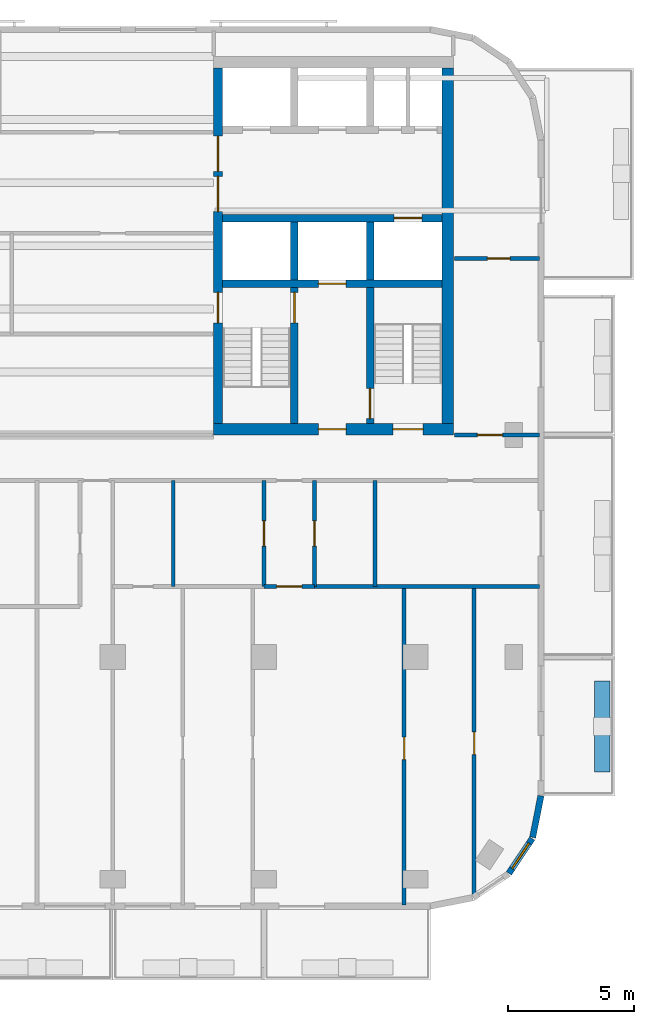
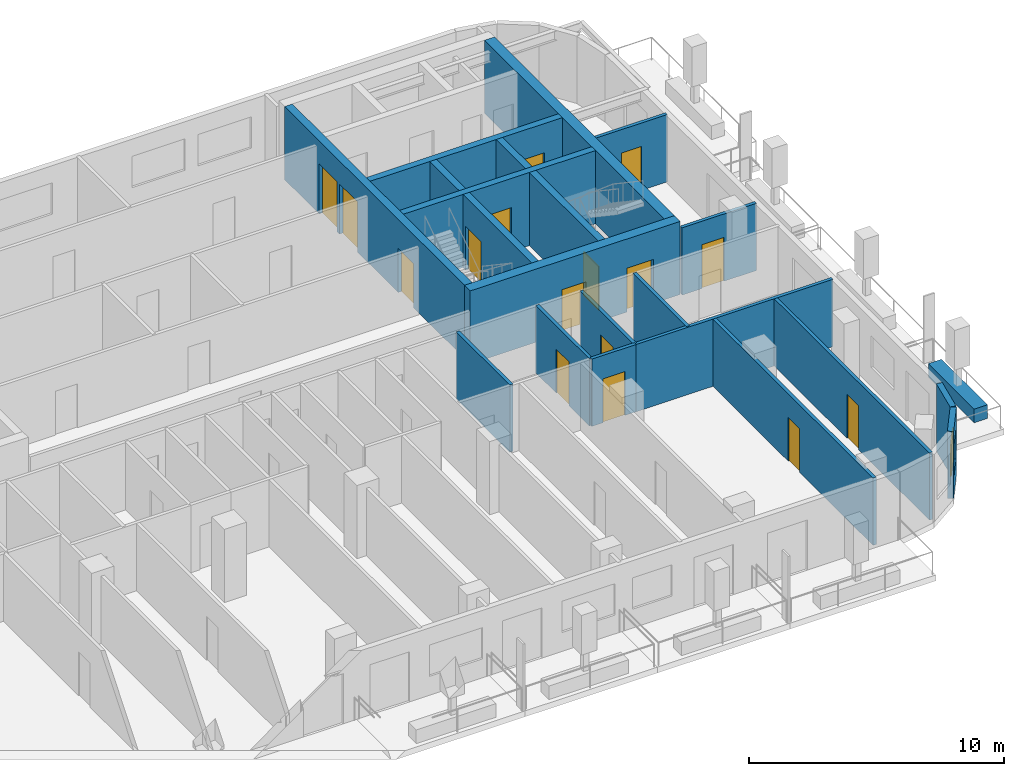
# One storey, part 5 of 11: 22 walls, 16 doors, 1 window, 17 openings.
"""IFC4 building model written with IfcOpenShell, lengths in metres."""

from ifc_helpers import new_model, si_unit, direction, frame, frame_2d, origin, place, context, subcontext, project, spatial, rectangle, extrude, material, layer, layer_set, type_object, element, fill, save


model = new_model("IFC4")

# Units and contexts
model_context = context("Model", 3, precision=1e-05, world=origin(), true_north=direction((0.0, 1.0)))
body_context = subcontext(model_context, "Body", "Model", "MODEL_VIEW")
ifc_project = project(units=[si_unit("LENGTHUNIT", "METRE"), si_unit("AREAUNIT", "SQUARE_METRE"), si_unit("VOLUMEUNIT", "CUBIC_METRE"), si_unit("PLANEANGLEUNIT", "RADIAN"), si_unit("MASSUNIT", "GRAM", prefix="KILO")], contexts=[model_context])

# Site, building, storey
site_placement = place(None, origin())
site = spatial("IfcSite", under=ifc_project, at=site_placement, CompositionType="ELEMENT")
building_placement = place(site_placement, origin())
building = spatial("IfcBuilding", under=site, at=building_placement, Name="Torana Hotel and Residences", CompositionType="ELEMENT")
storey_placement = place(building_placement, frame((0.0, 0.0, 284.10009765625)))
storey = spatial("IfcBuildingStorey", under=building, at=storey_placement, Name="L75", CompositionType="ELEMENT", Elevation=284.10009765625)

# Wall, opening, door
ifc_material_1 = material(Name="Concrete C60/75", Category="concrete")
ifc_layer_1 = layer(ifc_material_1, 0.300048828125)
ifc_layer_set_1 = layer_set([ifc_layer_1], Name="CORE WALL 300 C60/75")
wall_type_1 = type_object("IfcWallType", Name="CORE WALL 300 C60/75", PredefinedType="SHEAR", material=ifc_layer_set_1)
wall_1_placement = place(storey_placement, frame((10.35009765625, -6.39990234375, 0.0), z_axis=(0.0, 0.0, 1.0), x_axis=(1.0, 0.0, 0.0)))
wall_1 = element("IfcWall", 1, at=wall_1_placement, inside=storey, type_object=wall_type_1, Name="Core wall E row-S", PredefinedType="SHEAR", context=body_context, shape_type="SweptSolid", body=[
    extrude(rectangle(XDim=8.699951171875, YDim=0.300048828125, at=frame_2d((4.35009765625, 0.0))), origin(), (0.0, 0.0, 1.0), 3.5),
])
opening_1_placement = place(wall_1_placement, frame((6.800048828125, 0.0, 0.0)))
opening_1 = element("IfcOpeningElement", 2, at=opening_1_placement, cuts=wall_1, Name="Opening LD", PredefinedType="OPENING", context=body_context, shape_type="SweptSolid", body=[
    extrude(rectangle(XDim=1.10009765625, YDim=2.10009765625, at=frame_2d((0.550048828125, 1.050048828125))), frame((0.0, 0.159912109375, 0.0), z_axis=(0.0, -1.0, 0.0), x_axis=(1.0, 0.0, 0.0)), (0.0, 0.0, 1.0), 0.320068359375),
])
ifc_material_2 = material(Name="Stainless steel 316", Category="steel")
door_type_1 = type_object("IfcDoorType", Name="LIFT LANDING DOOR LD 1100x2100", OperationType="DOUBLE_DOOR_SLIDING", PredefinedType="USERDEFINED", material=ifc_material_2)
door_1_placement = place(opening_1_placement, origin())
door_1 = element("IfcDoor", 3, at=door_1_placement, inside=storey, type_object=door_type_1, Name="Lift landing door SV2 L75", ObjectType="LIFT LANDING DOOR", OperationType="DOUBLE_DOOR_SLIDING", OverallHeight=2.10009765625, OverallWidth=1.10009765625, PredefinedType="USERDEFINED", context=body_context, shape_type="SweptSolid", body=[
    extrude(rectangle(XDim=1.10009765625, YDim=2.10009765625, at=frame_2d((0.550048828125, 1.050048828125))), frame((0.0, 0.02490234375, 0.0), z_axis=(0.0, -1.0, 0.0), x_axis=(1.0, 0.0, 0.0)), (0.0, 0.0, 1.0), 0.050048828125),
])
fill(opening_1, door_1)

wall_2_placement = place(storey_placement, frame((10.35009765625, -9.0, 0.0), z_axis=(0.0, 0.0, 1.0), x_axis=(1.0, 0.0, 0.0)))
wall_2 = element("IfcWall", 4, at=wall_2_placement, inside=storey, type_object=wall_type_1, Name="Core wall E band", PredefinedType="SHEAR", context=body_context, shape_type="SweptSolid", body=[
    extrude(rectangle(XDim=8.699951171875, YDim=0.300048828125, at=frame_2d((4.35009765625, 0.0))), origin(), (0.0, 0.0, 1.0), 3.5),
])
opening_2_placement = place(wall_2_placement, frame((3.800048828125, 0.0, 0.0)))
opening_2 = element("IfcOpeningElement", 5, at=opening_2_placement, cuts=wall_2, Name="Opening LD", PredefinedType="OPENING", context=body_context, shape_type="SweptSolid", body=[
    extrude(rectangle(XDim=1.10009765625, YDim=2.10009765625, at=frame_2d((0.550048828125, 1.050048828125))), frame((0.0, 0.159912109375, 0.0), z_axis=(0.0, -1.0, 0.0), x_axis=(1.0, 0.0, 0.0)), (0.0, 0.0, 1.0), 0.320068359375),
])
door_2_placement = place(opening_2_placement, origin())
door_2 = element("IfcDoor", 6, at=door_2_placement, inside=storey, type_object=door_type_1, Name="Lift landing door FF2 L75", ObjectType="LIFT LANDING DOOR", OperationType="DOUBLE_DOOR_SLIDING", OverallHeight=2.10009765625, OverallWidth=1.10009765625, PredefinedType="USERDEFINED", context=body_context, shape_type="SweptSolid", body=[
    extrude(rectangle(XDim=1.10009765625, YDim=2.10009765625, at=frame_2d((0.550048828125, 1.050048828125))), frame((0.0, 0.02490234375, 0.0), z_axis=(0.0, -1.0, 0.0), x_axis=(1.0, 0.0, 0.0)), (0.0, 0.0, 1.0), 0.050048828125),
])
fill(opening_2, door_2)

# Wall
wall_3_placement = place(storey_placement, frame((13.199951171875, -8.85009765625, 0.0), z_axis=(0.0, 0.0, 1.0), x_axis=(0.0, 1.0, 0.0)))
element("IfcWall", 7, at=wall_3_placement, inside=storey, type_object=wall_type_1, Name="Core wall E x3.05-S", PredefinedType="SHEAR", context=body_context, shape_type="SweptSolid", body=[
    extrude(rectangle(XDim=2.300048828125, YDim=0.300048828125, at=frame_2d((1.14990234375, 0.0))), origin(), (0.0, 0.0, 1.0), 3.5),
])

# Wall, opening, door
wall_4_placement = place(storey_placement, frame((13.199951171875, -14.550048828125, 0.0), z_axis=(0.0, 0.0, 1.0), x_axis=(0.0, 1.0, 0.0)))
wall_4 = element("IfcWall", 8, at=wall_4_placement, inside=storey, type_object=wall_type_1, Name="Core wall E x3.05-band", PredefinedType="SHEAR", context=body_context, shape_type="SweptSolid", body=[
    extrude(rectangle(XDim=5.400146484375, YDim=0.300048828125, at=frame_2d((2.7001953125, 0.0))), origin(), (0.0, 0.0, 1.0), 3.5),
])
opening_3_placement = place(wall_4_placement, frame((4.0, 0.0, 0.0)))
opening_3 = element("IfcOpeningElement", 9, at=opening_3_placement, cuts=wall_4, Name="Opening L75-17", PredefinedType="OPENING", context=body_context, shape_type="SweptSolid", body=[
    extrude(rectangle(XDim=1.199951171875, YDim=2.10009765625, at=frame_2d((0.60009765625, 1.050048828125))), frame((0.0, 0.159912109375, 0.0), z_axis=(0.0, -1.0, 0.0), x_axis=(1.0, 0.0, 0.0)), (0.0, 0.0, 1.0), 0.320068359375),
])
ifc_material_3 = material(Name="Steel S235", Category="steel")
door_type_2 = type_object("IfcDoorType", Name="STAIR FIRE DOOR D3 1200x2100", OperationType="SINGLE_SWING_LEFT", PredefinedType="DOOR", material=ifc_material_3)
door_3_placement = place(opening_3_placement, origin())
door_3 = element("IfcDoor", 10, at=door_3_placement, inside=storey, type_object=door_type_2, Name="Stair-A-lobby door L75", OperationType="SINGLE_SWING_LEFT", OverallHeight=2.10009765625, OverallWidth=1.199951171875, PredefinedType="DOOR", context=body_context, shape_type="SweptSolid", body=[
    extrude(rectangle(XDim=1.199951171875, YDim=2.10009765625, at=frame_2d((0.60009765625, 1.050048828125))), frame((0.0, 0.02490234375, 0.0), z_axis=(0.0, -1.0, 0.0), x_axis=(1.0, 0.0, 0.0)), (0.0, 0.0, 1.0), 0.050048828125),
])
fill(opening_3, door_3)

# Wall
wall_5_placement = place(storey_placement, frame((16.199951171875, -8.85009765625, 0.0), z_axis=(0.0, 0.0, 1.0), x_axis=(0.0, 1.0, 0.0)))
element("IfcWall", 11, at=wall_5_placement, inside=storey, type_object=wall_type_1, Name="Core wall E x6.05-S", PredefinedType="SHEAR", context=body_context, shape_type="SweptSolid", body=[
    extrude(rectangle(XDim=2.300048828125, YDim=0.300048828125, at=frame_2d((1.14990234375, 0.0))), origin(), (0.0, 0.0, 1.0), 3.5),
])

# Wall, opening, door
wall_6_placement = place(storey_placement, frame((16.199951171875, -14.550048828125, 0.0), z_axis=(0.0, 0.0, 1.0), x_axis=(0.0, 1.0, 0.0)))
wall_6 = element("IfcWall", 12, at=wall_6_placement, inside=storey, type_object=wall_type_1, Name="Core wall E x6.05-band", PredefinedType="SHEAR", context=body_context, shape_type="SweptSolid", body=[
    extrude(rectangle(XDim=5.400146484375, YDim=0.300048828125, at=frame_2d((2.7001953125, 0.0))), origin(), (0.0, 0.0, 1.0), 3.5),
])
opening_4_placement = place(wall_6_placement, frame((0.199951171875, 0.0, 0.0)))
opening_4 = element("IfcOpeningElement", 13, at=opening_4_placement, cuts=wall_6, Name="Opening L75-18", PredefinedType="OPENING", context=body_context, shape_type="SweptSolid", body=[
    extrude(rectangle(XDim=1.199951171875, YDim=2.10009765625, at=frame_2d((0.60009765625, 1.050048828125))), frame((0.0, 0.159912109375, 0.0), z_axis=(0.0, -1.0, 0.0), x_axis=(1.0, 0.0, 0.0)), (0.0, 0.0, 1.0), 0.320068359375),
])
door_4_placement = place(opening_4_placement, frame((0.60009765625, 0.0, 0.0), z_axis=(0.0, 0.0, 1.0), x_axis=(-1.0, 0.0, 0.0)))
door_4 = element("IfcDoor", 14, at=door_4_placement, inside=storey, type_object=door_type_2, Name="Stair-B-lobby door L75", OperationType="SINGLE_SWING_LEFT", OverallHeight=2.10009765625, OverallWidth=1.199951171875, PredefinedType="DOOR", context=body_context, shape_type="SweptSolid", body=[
    extrude(rectangle(XDim=1.199951171875, YDim=2.10009765625, at=frame_2d((0.0, 1.050048828125))), frame((0.0, -0.02490234375, 0.0), z_axis=(0.0, 1.0, 0.0), x_axis=(-1.0, 0.0, 0.0)), (0.0, 0.0, 1.0), 0.050048828125),
])
fill(opening_4, door_4)

# Wall, openings, doors
ifc_material_4 = material(Name="Concrete C60/75", Category="concrete")
ifc_layer_2 = layer(ifc_material_4, 0.35009765625)
ifc_layer_set_2 = layer_set([ifc_layer_2], Name="CORE WALL 350 C60/75")
wall_type_2 = type_object("IfcWallType", Name="CORE WALL 350 C60/75", PredefinedType="SHEAR", material=ifc_layer_set_2)
wall_7_placement = place(storey_placement, frame((10.175048828125, -14.550048828125, 0.0), z_axis=(0.0, 0.0, 1.0), x_axis=(0.0, 1.0, 0.0)))
wall_7 = element("IfcWall", 15, at=wall_7_placement, inside=storey, type_object=wall_type_2, Name="Core wall E arch", PredefinedType="SHEAR", context=body_context, shape_type="SweptSolid", body=[
    extrude(rectangle(XDim=14.10009765625, YDim=0.35009765625, at=frame_2d((7.050048828125, 0.0))), origin(), (0.0, 0.0, 1.0), 3.5),
])
opening_5_placement = place(wall_7_placement, frame((8.39990234375, 0.0, 0.0)))
opening_5 = element("IfcOpeningElement", 16, at=opening_5_placement, cuts=wall_7, Name="Opening L75-10", PredefinedType="OPENING", context=body_context, shape_type="SweptSolid", body=[
    extrude(rectangle(XDim=1.39990234375, YDim=2.39990234375, at=frame_2d((0.699951171875, 1.199951171875))), frame((0.0, 0.18505859375, 0.0), z_axis=(0.0, -1.0, 0.0), x_axis=(1.0, 0.0, 0.0)), (0.0, 0.0, 1.0), 0.3701171875),
])
opening_6_placement = place(wall_7_placement, frame((10.0, 0.0, 0.0)))
opening_6 = element("IfcOpeningElement", 17, at=opening_6_placement, cuts=wall_7, Name="Opening L75-11", PredefinedType="OPENING", context=body_context, shape_type="SweptSolid", body=[
    extrude(rectangle(XDim=1.39990234375, YDim=2.39990234375, at=frame_2d((0.699951171875, 1.199951171875))), frame((0.0, 0.18505859375, 0.0), z_axis=(0.0, -1.0, 0.0), x_axis=(1.0, 0.0, 0.0)), (0.0, 0.0, 1.0), 0.3701171875),
])
opening_7_placement = place(wall_7_placement, frame((4.0, 0.0, 0.0)))
opening_7 = element("IfcOpeningElement", 18, at=opening_7_placement, cuts=wall_7, Name="Opening L75-12", PredefinedType="OPENING", context=body_context, shape_type="SweptSolid", body=[
    extrude(rectangle(XDim=1.199951171875, YDim=2.10009765625, at=frame_2d((0.60009765625, 1.050048828125))), frame((0.0, 0.18505859375, 0.0), z_axis=(0.0, -1.0, 0.0), x_axis=(1.0, 0.0, 0.0)), (0.0, 0.0, 1.0), 0.3701171875),
])
ifc_material_5 = material(Name="Steel S235", Category="steel")
door_type_3 = type_object("IfcDoorType", Name="LOBBY FIRE DOOR D4 1400x2400", OperationType="DOUBLE_DOOR_SINGLE_SWING", PredefinedType="DOOR", material=ifc_material_5)
door_5_placement = place(opening_5_placement, origin())
door_5 = element("IfcDoor", 19, at=door_5_placement, inside=storey, type_object=door_type_3, Name="Lobby-1 door L75", OperationType="DOUBLE_DOOR_SINGLE_SWING", OverallHeight=2.39990234375, OverallWidth=1.39990234375, PredefinedType="DOOR", context=body_context, shape_type="SweptSolid", body=[
    extrude(rectangle(XDim=1.39990234375, YDim=2.39990234375, at=frame_2d((0.699951171875, 1.199951171875))), frame((0.0, 0.02490234375, 0.0), z_axis=(0.0, -1.0, 0.0), x_axis=(1.0, 0.0, 0.0)), (0.0, 0.0, 1.0), 0.050048828125),
])
fill(opening_5, door_5)
door_6_placement = place(opening_6_placement, origin())
door_6 = element("IfcDoor", 20, at=door_6_placement, inside=storey, type_object=door_type_3, Name="Lobby-2 door L75", OperationType="DOUBLE_DOOR_SINGLE_SWING", OverallHeight=2.39990234375, OverallWidth=1.39990234375, PredefinedType="DOOR", context=body_context, shape_type="SweptSolid", body=[
    extrude(rectangle(XDim=1.39990234375, YDim=2.39990234375, at=frame_2d((0.699951171875, 1.199951171875))), frame((0.0, 0.02490234375, 0.0), z_axis=(0.0, -1.0, 0.0), x_axis=(1.0, 0.0, 0.0)), (0.0, 0.0, 1.0), 0.050048828125),
])
fill(opening_6, door_6)
door_7_placement = place(opening_7_placement, frame((0.60009765625, 0.0, 0.0), z_axis=(0.0, 0.0, 1.0), x_axis=(-1.0, 0.0, 0.0)))
door_7 = element("IfcDoor", 21, at=door_7_placement, inside=storey, type_object=door_type_2, Name="Stair-A door L75", OperationType="SINGLE_SWING_RIGHT", OverallHeight=2.10009765625, OverallWidth=1.199951171875, PredefinedType="DOOR", context=body_context, shape_type="SweptSolid", body=[
    extrude(rectangle(XDim=1.199951171875, YDim=2.10009765625, at=frame_2d((0.0, 1.050048828125))), frame((0.0, -0.02490234375, 0.0), z_axis=(0.0, 1.0, 0.0), x_axis=(-1.0, 0.0, 0.0)), (0.0, 0.0, 1.0), 0.050048828125),
])
fill(opening_7, door_7)

ifc_material_6 = material(Name="Concrete C60/75", Category="concrete")
ifc_layer_3 = layer(ifc_material_6, 0.449951171875)
ifc_layer_set_3 = layer_set([ifc_layer_3], Name="CORE WALL 450 C60/75")
wall_type_3 = type_object("IfcWallType", Name="CORE WALL 450 C60/75", PredefinedType="SHEAR", material=ifc_layer_set_3)
wall_8_placement = place(storey_placement, frame((10.0, -14.77490234375, 0.0), z_axis=(0.0, 0.0, 1.0), x_axis=(1.0, 0.0, 0.0)))
wall_8 = element("IfcWall", 22, at=wall_8_placement, inside=storey, type_object=wall_type_3, Name="Core wall E front", PredefinedType="SHEAR", context=body_context, shape_type="SweptSolid", body=[
    extrude(rectangle(XDim=9.5, YDim=0.449951171875, at=frame_2d((4.75, 0.0))), origin(), (0.0, 0.0, 1.0), 3.5),
])
opening_8_placement = place(wall_8_placement, frame((7.10009765625, 0.0, 0.0)))
opening_8 = element("IfcOpeningElement", 23, at=opening_8_placement, cuts=wall_8, Name="Opening L75-13", PredefinedType="OPENING", context=body_context, shape_type="SweptSolid", body=[
    extrude(rectangle(XDim=1.199951171875, YDim=2.10009765625, at=frame_2d((0.60009765625, 1.050048828125))), frame((0.0, 0.23486328125, 0.0), z_axis=(0.0, -1.0, 0.0), x_axis=(1.0, 0.0, 0.0)), (0.0, 0.0, 1.0), 0.469970703125),
])
opening_9_placement = place(wall_8_placement, frame((4.14990234375, 0.0, 0.0)))
opening_9 = element("IfcOpeningElement", 24, at=opening_9_placement, cuts=wall_8, Name="Opening L75-14", PredefinedType="OPENING", context=body_context, shape_type="SweptSolid", body=[
    extrude(rectangle(XDim=1.10009765625, YDim=2.10009765625, at=frame_2d((0.550048828125, 1.050048828125))), frame((0.0, 0.23486328125, 0.0), z_axis=(0.0, -1.0, 0.0), x_axis=(1.0, 0.0, 0.0)), (0.0, 0.0, 1.0), 0.469970703125),
])
ifc_material_7 = material(Name="Steel S235", Category="steel")
door_type_4 = type_object("IfcDoorType", Name="FIRE-FIGHTING LOBBY DOOR D8 1100x2100", OperationType="SINGLE_SWING_LEFT", PredefinedType="DOOR", material=ifc_material_7)
door_8_placement = place(opening_9_placement, origin())
door_8 = element("IfcDoor", 25, at=door_8_placement, inside=storey, type_object=door_type_4, Name="FF-lobby door L75", OperationType="SINGLE_SWING_RIGHT", OverallHeight=2.10009765625, OverallWidth=1.10009765625, PredefinedType="DOOR", context=body_context, shape_type="SweptSolid", body=[
    extrude(rectangle(XDim=1.10009765625, YDim=2.10009765625, at=frame_2d((0.550048828125, 1.050048828125))), frame((0.0, 0.02490234375, 0.0), z_axis=(0.0, -1.0, 0.0), x_axis=(1.0, 0.0, 0.0)), (0.0, 0.0, 1.0), 0.050048828125),
])
fill(opening_9, door_8)
door_9_placement = place(opening_8_placement, origin())
door_9 = element("IfcDoor", 26, at=door_9_placement, inside=storey, type_object=door_type_2, Name="Stair-B door L75", OperationType="SINGLE_SWING_RIGHT", OverallHeight=2.10009765625, OverallWidth=1.199951171875, PredefinedType="DOOR", context=body_context, shape_type="SweptSolid", body=[
    extrude(rectangle(XDim=1.199951171875, YDim=2.10009765625, at=frame_2d((0.60009765625, 1.050048828125))), frame((0.0, 0.02490234375, 0.0), z_axis=(0.0, -1.0, 0.0), x_axis=(1.0, 0.0, 0.0)), (0.0, 0.0, 1.0), 0.050048828125),
])
fill(opening_8, door_9)

# Wall
wall_9_placement = place(storey_placement, frame((19.27490234375, -14.550048828125, 0.0), z_axis=(0.0, 0.0, 1.0), x_axis=(0.0, 1.0, 0.0)))
element("IfcWall", 27, at=wall_9_placement, inside=storey, type_object=wall_type_3, Name="Core wall E outer", PredefinedType="SHEAR", context=body_context, shape_type="SweptSolid", body=[
    extrude(rectangle(XDim=14.10009765625, YDim=0.449951171875, at=frame_2d((7.050048828125, 0.0))), origin(), (0.0, 0.0, 1.0), 3.5),
])

# Wall, opening, window
ifc_material_8 = material(Name="Black aluminium composite panel", Category="aluminium")
ifc_layer_4 = layer(ifc_material_8, 0.00390625, Name="Cladding", Category="cladding")
ifc_material_9 = material(Name="Ventilated air cavity")
ifc_layer_5 = layer(ifc_material_9, 0.0400390625, Name="Ventilated cavity", Category="cavity")
ifc_material_10 = material(Name="Mineral wool insulation")
ifc_layer_6 = layer(ifc_material_10, 0.090087890625, Name="Insulation", Category="insulation")
ifc_material_11 = material(Name="Steel S280GD", Category="steel")
ifc_layer_7 = layer(ifc_material_11, 0.092041015625, Name="Steel stud frame", Category="structure")
ifc_material_12 = material(Name="Fire rated plasterboard")
ifc_layer_8 = layer(ifc_material_12, 0.011962890625, Name="Inner board", Category="finish")
ifc_layer_9 = layer(ifc_material_12, 0.011962890625, Name="Second board", Category="finish")
ifc_layer_set_4 = layer_set([ifc_layer_4, ifc_layer_5, ifc_layer_6, ifc_layer_7, ifc_layer_8, ifc_layer_9], Name="EW1 EXTERNAL WALL BLACK METAL CLAD 250")
wall_type_4 = type_object("IfcWallType", Name="EW1 EXTERNAL WALL BLACK METAL CLAD 250", PredefinedType="SOLIDWALL", material=ifc_layer_set_4)
wall_10_placement = place(storey_placement, frame((21.705810546875, -32.37109375, 0.0), z_axis=(0.0, 0.0, 1.0), x_axis=(0.55555029066, 0.831482937015, 0.0)))
wall_10 = element("IfcWall", 28, at=wall_10_placement, inside=storey, type_object=wall_type_4, Name="External wall L75 e0.17", PredefinedType="SOLIDWALL", context=body_context, shape_type="SweptSolid", body=[
    extrude(rectangle(XDim=1.65625, YDim=0.25, at=frame_2d((0.828125, 0.0))), origin(), (0.0, 0.0, 1.0), 3.219970703125),
])
opening_10_placement = place(wall_10_placement, frame((0.228271484375, 0.0, 0.89990234375)))
opening_10 = element("IfcOpeningElement", 29, at=opening_10_placement, cuts=wall_10, Name="Opening W5", PredefinedType="OPENING", context=body_context, shape_type="SweptSolid", body=[
    extrude(rectangle(XDim=1.199951171875, YDim=1.5, at=frame_2d((0.60009765625, 0.75))), frame((0.0, 0.135009765625, 0.0), z_axis=(0.0, -1.0, 0.0), x_axis=(1.0, 0.0, 0.0)), (0.0, 0.0, 1.0), 0.27001953125),
])
ifc_material_13 = material(Name="Dark glass in black aluminium frame", Category="aluminium")
window_type = type_object("IfcWindowType", Name="W5 CORNER FACET WINDOW 1200x1500", PartitioningType="SINGLE_PANEL", PredefinedType="WINDOW", material=ifc_material_13)
window_placement = place(opening_10_placement, origin())
window = element("IfcWindow", 30, at=window_placement, inside=storey, type_object=window_type, Name="Window L75 e0.17", OverallHeight=1.5, OverallWidth=1.199951171875, PartitioningType="SINGLE_PANEL", PredefinedType="WINDOW", context=body_context, shape_type="SweptSolid", body=[
    extrude(rectangle(XDim=1.199951171875, YDim=1.5, at=frame_2d((0.60009765625, 0.75))), frame((0.0, 0.030029296875, 0.0), z_axis=(0.0, -1.0, 0.0), x_axis=(1.0, 0.0, 0.0)), (0.0, 0.0, 1.0), 0.06005859375),
])
fill(opening_10, window)

# Wall
wall_11_placement = place(storey_placement, frame((22.64453125, -30.948974609375, 0.0), z_axis=(0.0, 0.0, 1.0), x_axis=(0.19513878023, 0.980775640221, 0.0)))
element("IfcWall", 31, at=wall_11_placement, inside=storey, type_object=wall_type_4, Name="External wall L75 e0.18", PredefinedType="SOLIDWALL", context=body_context, shape_type="SweptSolid", body=[
    extrude(rectangle(XDim=1.681396484375, YDim=0.25, at=frame_2d((0.8408203125, 0.0))), origin(), (0.0, 0.0, 1.0), 3.219970703125),
])

# Wall, opening, door
ifc_material_14 = material(Name="Gypsum plaster")
ifc_layer_10 = layer(ifc_material_14, 0.014892578125, Name="Plaster", Category="finish")
ifc_material_15 = material(Name="Concrete blockwork", Category="masonry")
ifc_layer_11 = layer(ifc_material_15, 0.1201171875, Name="Blockwork", Category="structure")
ifc_layer_12 = layer(ifc_material_14, 0.014892578125, Name="Plaster", Category="finish")
ifc_layer_set_5 = layer_set([ifc_layer_10, ifc_layer_11, ifc_layer_12], Name="FIRE PARTITION 150 BLOCKWORK")
wall_type_5 = type_object("IfcWallType", Name="FIRE PARTITION 150 BLOCKWORK", PredefinedType="PARTITIONING", material=ifc_layer_set_5)
wall_12_placement = place(storey_placement, frame((14.0, -21.0, 0.0), z_axis=(0.0, 0.0, 1.0), x_axis=(0.0, 1.0, 0.0)))
wall_12 = element("IfcWall", 32, at=wall_12_placement, inside=storey, type_object=wall_type_5, Name="Partition L75", PredefinedType="PARTITIONING", context=body_context, shape_type="SweptSolid", body=[
    extrude(rectangle(XDim=4.199951171875, YDim=0.14990234375, at=frame_2d((2.10009765625, 0.0))), origin(), (0.0, 0.0, 1.0), 3.219970703125),
])
opening_11_placement = place(wall_12_placement, frame((1.60009765625, 0.0, 0.0)))
opening_11 = element("IfcOpeningElement", 33, at=opening_11_placement, cuts=wall_12, Name="Opening L75-53", PredefinedType="OPENING", context=body_context, shape_type="SweptSolid", body=[
    extrude(rectangle(XDim=1.0, YDim=2.10009765625, at=frame_2d((0.5, 1.050048828125))), frame((0.0, 0.0849609375, 0.0), z_axis=(0.0, -1.0, 0.0), x_axis=(1.0, 0.0, 0.0)), (0.0, 0.0, 1.0), 0.169921875),
])
ifc_material_16 = material(Name="Steel S235", Category="steel")
door_type_5 = type_object("IfcDoorType", Name="ENTRY FIRE DOOR D6 1000x2100", OperationType="SINGLE_SWING_LEFT", PredefinedType="DOOR", material=ifc_material_16)
door_10_placement = place(opening_11_placement, frame((0.5, 0.0, 0.0), z_axis=(0.0, 0.0, 1.0), x_axis=(-1.0, 0.0, 0.0)))
door_10 = element("IfcDoor", 34, at=door_10_placement, inside=storey, type_object=door_type_5, Name="Door L75", OperationType="SINGLE_SWING_LEFT", OverallHeight=2.10009765625, OverallWidth=1.0, PredefinedType="DOOR", context=body_context, shape_type="SweptSolid", body=[
    extrude(rectangle(XDim=1.0, YDim=2.10009765625, at=frame_2d((0.0, 1.050048828125))), frame((0.0, -0.02490234375, 0.0), z_axis=(0.0, 1.0, 0.0), x_axis=(-1.0, 0.0, 0.0)), (0.0, 0.0, 1.0), 0.050048828125),
])
fill(opening_11, door_10)

wall_13_placement = place(storey_placement, frame((12.0, -21.0, 0.0), z_axis=(0.0, 0.0, 1.0), x_axis=(0.0, 1.0, 0.0)))
wall_13 = element("IfcWall", 35, at=wall_13_placement, inside=storey, type_object=wall_type_5, Name="Partition L75", PredefinedType="PARTITIONING", context=body_context, shape_type="SweptSolid", body=[
    extrude(rectangle(XDim=4.199951171875, YDim=0.14990234375, at=frame_2d((2.10009765625, 0.0))), origin(), (0.0, 0.0, 1.0), 3.219970703125),
])
opening_12_placement = place(wall_13_placement, frame((1.60009765625, 0.0, 0.0)))
opening_12 = element("IfcOpeningElement", 36, at=opening_12_placement, cuts=wall_13, Name="Opening L75-52", PredefinedType="OPENING", context=body_context, shape_type="SweptSolid", body=[
    extrude(rectangle(XDim=1.0, YDim=2.10009765625, at=frame_2d((0.5, 1.050048828125))), frame((0.0, 0.0849609375, 0.0), z_axis=(0.0, -1.0, 0.0), x_axis=(1.0, 0.0, 0.0)), (0.0, 0.0, 1.0), 0.169921875),
])
door_11_placement = place(opening_12_placement, origin())
door_11 = element("IfcDoor", 37, at=door_11_placement, inside=storey, type_object=door_type_5, Name="Door L75", OperationType="SINGLE_SWING_RIGHT", OverallHeight=2.10009765625, OverallWidth=1.0, PredefinedType="DOOR", context=body_context, shape_type="SweptSolid", body=[
    extrude(rectangle(XDim=1.0, YDim=2.10009765625, at=frame_2d((0.5, 1.050048828125))), frame((0.0, 0.02490234375, 0.0), z_axis=(0.0, -1.0, 0.0), x_axis=(1.0, 0.0, 0.0)), (0.0, 0.0, 1.0), 0.050048828125),
])
fill(opening_12, door_11)

wall_14_placement = place(storey_placement, frame((12.0, -21.0, 0.0), z_axis=(0.0, 0.0, 1.0), x_axis=(1.0, 0.0, 0.0)))
wall_14 = element("IfcWall", 38, at=wall_14_placement, inside=storey, type_object=wall_type_5, Name="Partition L75", PredefinedType="PARTITIONING", context=body_context, shape_type="SweptSolid", body=[
    extrude(rectangle(XDim=2.0, YDim=0.14990234375, at=frame_2d((1.0, 0.0))), origin(), (0.0, 0.0, 1.0), 3.219970703125),
])
opening_13_placement = place(wall_14_placement, frame((0.5, 0.0, 0.0)))
opening_13 = element("IfcOpeningElement", 39, at=opening_13_placement, cuts=wall_14, Name="Opening L75-54", PredefinedType="OPENING", context=body_context, shape_type="SweptSolid", body=[
    extrude(rectangle(XDim=1.0, YDim=2.10009765625, at=frame_2d((0.5, 1.050048828125))), frame((0.0, 0.0849609375, 0.0), z_axis=(0.0, -1.0, 0.0), x_axis=(1.0, 0.0, 0.0)), (0.0, 0.0, 1.0), 0.169921875),
])
door_12_placement = place(opening_13_placement, frame((0.5, 0.0, 0.0), z_axis=(0.0, 0.0, 1.0), x_axis=(-1.0, 0.0, 0.0)))
door_12 = element("IfcDoor", 40, at=door_12_placement, inside=storey, type_object=door_type_5, Name="Door L75", OperationType="SINGLE_SWING_LEFT", OverallHeight=2.10009765625, OverallWidth=1.0, PredefinedType="DOOR", context=body_context, shape_type="SweptSolid", body=[
    extrude(rectangle(XDim=1.0, YDim=2.10009765625, at=frame_2d((0.0, 1.050048828125))), frame((0.0, -0.02490234375, 0.0), z_axis=(0.0, 1.0, 0.0), x_axis=(-1.0, 0.0, 0.0)), (0.0, 0.0, 1.0), 0.050048828125),
])
fill(opening_13, door_12)

wall_15_placement = place(storey_placement, frame((19.550048828125, -15.0, 0.0), z_axis=(0.0, 0.0, 1.0), x_axis=(1.0, 0.0, 0.0)))
wall_15 = element("IfcWall", 41, at=wall_15_placement, inside=storey, type_object=wall_type_5, Name="Partition L75", PredefinedType="PARTITIONING", context=body_context, shape_type="SweptSolid", body=[
    extrude(rectangle(XDim=3.369873046875, YDim=0.14990234375, at=frame_2d((1.68505859375, 0.0))), origin(), (0.0, 0.0, 1.0), 3.219970703125),
])
opening_14_placement = place(wall_15_placement, frame((0.89990234375, 0.0, 0.0)))
opening_14 = element("IfcOpeningElement", 42, at=opening_14_placement, cuts=wall_15, Name="Opening L75-29", PredefinedType="OPENING", context=body_context, shape_type="SweptSolid", body=[
    extrude(rectangle(XDim=1.0, YDim=2.10009765625, at=frame_2d((0.5, 1.050048828125))), frame((0.0, 0.0849609375, 0.0), z_axis=(0.0, -1.0, 0.0), x_axis=(1.0, 0.0, 0.0)), (0.0, 0.0, 1.0), 0.169921875),
])
ifc_material_17 = material(Name="Steel S235", Category="steel")
door_type_6 = type_object("IfcDoorType", Name="CORE ROOM FIRE DOOR D14 1000x2100", OperationType="SINGLE_SWING_LEFT", PredefinedType="DOOR", material=ifc_material_17)
door_13_placement = place(opening_14_placement, origin())
door_13 = element("IfcDoor", 43, at=door_13_placement, inside=storey, type_object=door_type_6, Name="Door L75", OperationType="SINGLE_SWING_LEFT", OverallHeight=2.10009765625, OverallWidth=1.0, PredefinedType="DOOR", context=body_context, shape_type="SweptSolid", body=[
    extrude(rectangle(XDim=1.0, YDim=2.10009765625, at=frame_2d((0.5, 1.050048828125))), frame((0.0, 0.02490234375, 0.0), z_axis=(0.0, -1.0, 0.0), x_axis=(1.0, 0.0, 0.0)), (0.0, 0.0, 1.0), 0.050048828125),
])
fill(opening_14, door_13)

ifc_material_18 = material(Name="Gypsum plasterboard")
ifc_layer_13 = layer(ifc_material_18, 0.012451171875, Name="Plasterboard", Category="finish")
ifc_layer_14 = layer(ifc_material_18, 0.012451171875, Name="Plasterboard", Category="finish")
ifc_layer_15 = layer(ifc_material_11, 0.10009765625, Name="Steel studs with mineral wool", Category="insulation")
ifc_layer_16 = layer(ifc_material_18, 0.012451171875, Name="Plasterboard", Category="finish")
ifc_layer_17 = layer(ifc_material_18, 0.012451171875, Name="Plasterboard", Category="finish")
ifc_layer_set_6 = layer_set([ifc_layer_13, ifc_layer_14, ifc_layer_15, ifc_layer_16, ifc_layer_17], Name="PARTITION 150 PLASTERBOARD")
wall_type_6 = type_object("IfcWallType", Name="PARTITION 150 PLASTERBOARD", PredefinedType="PARTITIONING", material=ifc_layer_set_6)
wall_16_placement = place(storey_placement, frame((20.324951171875, -33.239013671875, 0.0), z_axis=(0.0, 0.0, 1.0), x_axis=(0.0, 1.0, 0.0)))
wall_16 = element("IfcWall", 44, at=wall_16_placement, inside=storey, type_object=wall_type_6, Name="Partition L75", PredefinedType="PARTITIONING", context=body_context, shape_type="SweptSolid", body=[
    extrude(rectangle(XDim=12.239013671875, YDim=0.14990234375, at=frame_2d((6.11962890625, 0.0))), origin(), (0.0, 0.0, 1.0), 3.219970703125),
])
opening_15_placement = place(wall_16_placement, frame((5.569091796875, 0.0, 0.0)))
opening_15 = element("IfcOpeningElement", 45, at=opening_15_placement, cuts=wall_16, Name="Opening L75-58", PredefinedType="OPENING", context=body_context, shape_type="SweptSolid", body=[
    extrude(rectangle(XDim=0.89990234375, YDim=2.10009765625, at=frame_2d((0.449951171875, 1.050048828125))), frame((0.0, 0.0849609375, 0.0), z_axis=(0.0, -1.0, 0.0), x_axis=(1.0, 0.0, 0.0)), (0.0, 0.0, 1.0), 0.169921875),
])
ifc_material_19 = material(Name="Timber door, oiled ash", Category="wood")
door_type_7 = type_object("IfcDoorType", Name="ROOM DOOR D7 900x2100", OperationType="SINGLE_SWING_LEFT", PredefinedType="DOOR", material=ifc_material_19)
door_14_placement = place(opening_15_placement, origin())
door_14 = element("IfcDoor", 46, at=door_14_placement, inside=storey, type_object=door_type_7, Name="Door L75", OperationType="SINGLE_SWING_RIGHT", OverallHeight=2.10009765625, OverallWidth=0.89990234375, PredefinedType="DOOR", context=body_context, shape_type="SweptSolid", body=[
    extrude(rectangle(XDim=0.89990234375, YDim=2.10009765625, at=frame_2d((0.449951171875, 1.050048828125))), frame((0.0, 0.02490234375, 0.0), z_axis=(0.0, -1.0, 0.0), x_axis=(1.0, 0.0, 0.0)), (0.0, 0.0, 1.0), 0.050048828125),
])
fill(opening_15, door_14)

wall_17_placement = place(storey_placement, frame((17.550048828125, -33.6201171875, 0.0), z_axis=(0.0, 0.0, 1.0), x_axis=(0.0, 1.0, 0.0)))
wall_17 = element("IfcWall", 47, at=wall_17_placement, inside=storey, type_object=wall_type_6, Name="Partition L75", PredefinedType="PARTITIONING", context=body_context, shape_type="SweptSolid", body=[
    extrude(rectangle(XDim=12.6201171875, YDim=0.14990234375, at=frame_2d((6.31005859375, 0.0))), origin(), (0.0, 0.0, 1.0), 3.219970703125),
])
opening_16_placement = place(wall_17_placement, frame((5.75, 0.0, 0.0)))
opening_16 = element("IfcOpeningElement", 48, at=opening_16_placement, cuts=wall_17, Name="Opening L75-56", PredefinedType="OPENING", context=body_context, shape_type="SweptSolid", body=[
    extrude(rectangle(XDim=0.89990234375, YDim=2.10009765625, at=frame_2d((0.449951171875, 1.050048828125))), frame((0.0, 0.0849609375, 0.0), z_axis=(0.0, -1.0, 0.0), x_axis=(1.0, 0.0, 0.0)), (0.0, 0.0, 1.0), 0.169921875),
])
door_15_placement = place(opening_16_placement, origin())
door_15 = element("IfcDoor", 49, at=door_15_placement, inside=storey, type_object=door_type_7, Name="Door L75", OperationType="SINGLE_SWING_RIGHT", OverallHeight=2.10009765625, OverallWidth=0.89990234375, PredefinedType="DOOR", context=body_context, shape_type="SweptSolid", body=[
    extrude(rectangle(XDim=0.89990234375, YDim=2.10009765625, at=frame_2d((0.449951171875, 1.050048828125))), frame((0.0, 0.02490234375, 0.0), z_axis=(0.0, -1.0, 0.0), x_axis=(1.0, 0.0, 0.0)), (0.0, 0.0, 1.0), 0.050048828125),
])
fill(opening_16, door_15)

# Walls
for number, where, z_axis, x_axis, name in (
    (50, (16.39990234375, -21.0, 0.0), (0.0, 0.0, 1.0), (0.0, 1.0, 0.0), "Partition L75"),
    (51, (8.39990234375, -21.0, 0.0), (0.0, 0.0, 1.0), (0.0, 1.0, 0.0), "Partition L75"),
):
    element("IfcWall", number, at=place(storey_placement, frame(where, z_axis=z_axis, x_axis=x_axis)), inside=storey, type_object=wall_type_6, Name=name, PredefinedType="PARTITIONING", context=body_context, shape_type="SweptSolid", body=[
        extrude(rectangle(XDim=4.199951171875, YDim=0.14990234375, at=frame_2d((2.10009765625, 0.0))), origin(), (0.0, 0.0, 1.0), 3.219970703125),
    ])
wall_18_placement = place(storey_placement, frame((14.0, -21.0, 0.0), z_axis=(0.0, 0.0, 1.0), x_axis=(1.0, 0.0, 0.0)))
element("IfcWall", 52, at=wall_18_placement, inside=storey, type_object=wall_type_6, Name="Partition L75", PredefinedType="PARTITIONING", context=body_context, shape_type="SweptSolid", body=[
    extrude(rectangle(XDim=8.919921875, YDim=0.14990234375, at=frame_2d((4.4599609375, 0.0))), origin(), (0.0, 0.0, 1.0), 3.219970703125),
])

# Wall, opening, door
wall_19_placement = place(storey_placement, frame((19.550048828125, -8.0, 0.0), z_axis=(0.0, 0.0, 1.0), x_axis=(1.0, 0.0, 0.0)))
wall_19 = element("IfcWall", 53, at=wall_19_placement, inside=storey, type_object=wall_type_6, Name="Partition L75", PredefinedType="PARTITIONING", context=body_context, shape_type="SweptSolid", body=[
    extrude(rectangle(XDim=3.369873046875, YDim=0.14990234375, at=frame_2d((1.68505859375, 0.0))), origin(), (0.0, 0.0, 1.0), 3.219970703125),
])
opening_17_placement = place(wall_19_placement, frame((1.300048828125, 0.0, 0.0)))
opening_17 = element("IfcOpeningElement", 54, at=opening_17_placement, cuts=wall_19, Name="Opening L75-60", PredefinedType="OPENING", context=body_context, shape_type="SweptSolid", body=[
    extrude(rectangle(XDim=0.89990234375, YDim=2.10009765625, at=frame_2d((0.449951171875, 1.050048828125))), frame((0.0, 0.0849609375, 0.0), z_axis=(0.0, -1.0, 0.0), x_axis=(1.0, 0.0, 0.0)), (0.0, 0.0, 1.0), 0.169921875),
])
door_16_placement = place(opening_17_placement, origin())
door_16 = element("IfcDoor", 55, at=door_16_placement, inside=storey, type_object=door_type_7, Name="Door L75", OperationType="SINGLE_SWING_LEFT", OverallHeight=2.10009765625, OverallWidth=0.89990234375, PredefinedType="DOOR", context=body_context, shape_type="SweptSolid", body=[
    extrude(rectangle(XDim=0.89990234375, YDim=2.10009765625, at=frame_2d((0.449951171875, 1.050048828125))), frame((0.0, 0.02490234375, 0.0), z_axis=(0.0, -1.0, 0.0), x_axis=(1.0, 0.0, 0.0)), (0.0, 0.0, 1.0), 0.050048828125),
])
fill(opening_17, door_16)

# Wall
ifc_material_20 = material(Name="Concrete C40/50 precast", Category="concrete")
ifc_layer_18 = layer(ifc_material_20, 0.10009765625, Name="Planter shell", Category="structure")
ifc_material_21 = material(Name="Root resistant membrane")
ifc_layer_19 = layer(ifc_material_21, 0.00390625, Name="Waterproofing membrane", Category="membrane")
ifc_material_22 = material(Name="Drainage board with filter fleece")
ifc_layer_20 = layer(ifc_material_22, 0.02001953125, Name="Drainage board", Category="drainage")
ifc_material_23 = material(Name="Growing medium")
ifc_layer_21 = layer(ifc_material_23, 0.47607421875, Name="Planting substrate", Category="soil")
ifc_layer_set_7 = layer_set([ifc_layer_18, ifc_layer_19, ifc_layer_20, ifc_layer_21], Name="PL1 BALCONY PLANTER 600")
wall_type_7 = type_object("IfcWallType", Name="PL1 BALCONY PLANTER 600", PredefinedType="USERDEFINED", material=ifc_layer_set_7)
wall_20_placement = place(storey_placement, frame((25.39990234375, -24.75, 0.0), z_axis=(0.0, 0.0, 1.0), x_axis=(0.0, -1.0, 0.0)))
element("IfcWall", 56, at=wall_20_placement, inside=storey, type_object=wall_type_7, Name="Planter 11", ObjectType="PLANTER", PredefinedType="USERDEFINED", context=body_context, shape_type="SweptSolid", body=[
    extrude(rectangle(XDim=3.60009765625, YDim=0.60009765625, at=frame_2d((1.800048828125, 0.0))), origin(), (0.0, 0.0, 1.0), 0.64990234375),
])

save(model, "model.ifc")
